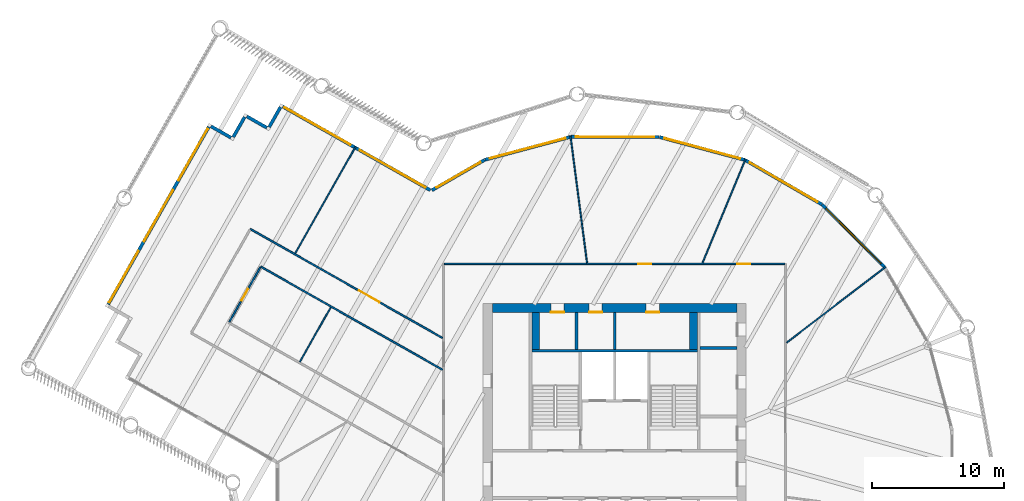
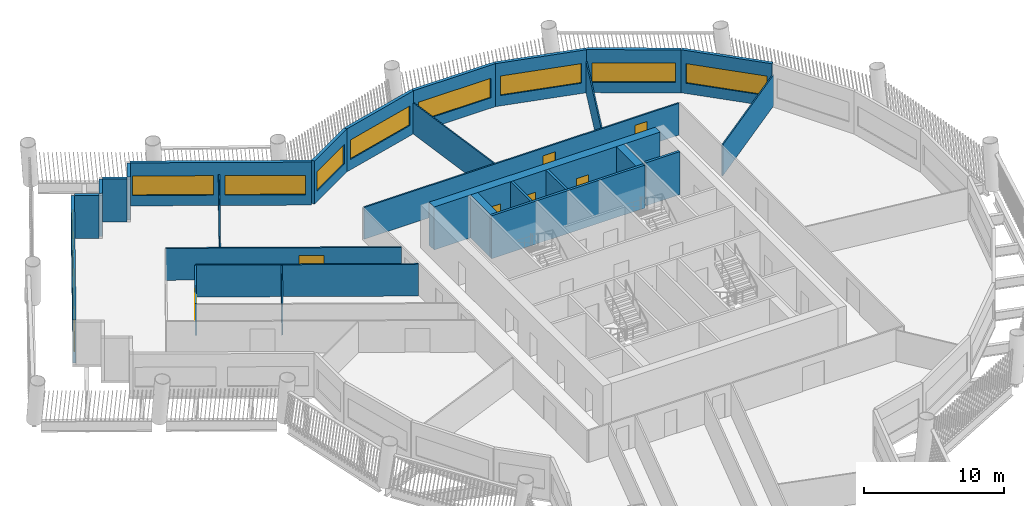
# One storey, part 6 of 15: 28 walls, 11 windows, 7 doors, 18 openings.
"""IFC4 building model written with IfcOpenShell, lengths in metres."""

from ifc_helpers import new_model, si_unit, direction, frame, frame_2d, origin, place, context, subcontext, project, spatial, rectangle, extrude, material, layer, layer_set, type_object, element, fill, save


model = new_model("IFC4")

# Units and contexts
model_context = context("Model", 3, precision=1e-05, world=origin(), true_north=direction((0.0, 1.0)))
body_context = subcontext(model_context, "Body", "Model", "MODEL_VIEW")
ifc_project = project(units=[si_unit("LENGTHUNIT", "METRE"), si_unit("AREAUNIT", "SQUARE_METRE"), si_unit("VOLUMEUNIT", "CUBIC_METRE"), si_unit("PLANEANGLEUNIT", "RADIAN"), si_unit("MASSUNIT", "GRAM", prefix="KILO")], contexts=[model_context])

# Site, building, storey
site_placement = place(None, origin())
site = spatial("IfcSite", under=ifc_project, at=site_placement, CompositionType="ELEMENT")
building_placement = place(site_placement, origin())
building = spatial("IfcBuilding", under=site, at=building_placement, Name="Tarsis Ring Headquarters", CompositionType="ELEMENT")
storey_placement = place(building_placement, frame((0.0, 0.0, 159.300048828125)))
storey = spatial("IfcBuildingStorey", under=building, at=storey_placement, Name="L36", CompositionType="ELEMENT", Elevation=159.300048828125)

# Walls
ifc_material_1 = material(Name="Blockwork", Category="masonry")
ifc_layer_1 = layer(ifc_material_1, 0.199951171875)
ifc_layer_set_1 = layer_set([ifc_layer_1], Name="Core blockwork wall 200")
wall_type_1 = type_object("IfcWallType", Name="Core blockwork wall 200", PredefinedType="PARTITIONING", material=ifc_layer_set_1)
for number, where, z_axis, x_axis, name in (
    (1, (6.5, 9.60009765625, 0.0), (0.0, 0.0, 1.0), (1.0, 0.0, 0.0), "Core partition ED7"),
    (2, (-2.89990234375, 9.5, 0.0), (0.0, 0.0, 1.0), (0.0, 1.0, 0.0), "Core partition ND1"),
    (3, (0.0, 9.5, 0.0), (0.0, 0.0, 1.0), (0.0, 1.0, 0.0), "Core partition ND2"),
):
    element("IfcWall", number, at=place(storey_placement, frame(where, z_axis=z_axis, x_axis=x_axis)), inside=storey, type_object=wall_type_1, Name=name, PredefinedType="PARTITIONING", context=body_context, shape_type="SweptSolid", body=[
        extrude(rectangle(XDim=2.800048828125, YDim=0.199951171875, at=frame_2d((1.39990234375, 0.0))), origin(), (0.0, 0.0, 1.0), 3.739990234375),
    ])

# Wall, openings, doors
ifc_material_2 = material(Name="Concrete C60/75", Category="concrete")
ifc_layer_2 = layer(ifc_material_2, 0.699951171875)
ifc_layer_set_2 = layer_set([ifc_layer_2], Name="Core wall 700 C60/75")
wall_type_2 = type_object("IfcWallType", Name="Core wall 700 C60/75", PredefinedType="SHEAR", material=ifc_layer_set_2)
wall_1_placement = place(storey_placement, frame((-9.300048828125, 12.64990234375, 0.0), z_axis=(0.0, 0.0, 1.0), x_axis=(1.0, 0.0, 0.0)))
wall_1 = element("IfcWall", 4, at=wall_1_placement, inside=storey, type_object=wall_type_2, Name="Core wall ON", PredefinedType="SHEAR", context=body_context, shape_type="SweptSolid", body=[
    extrude(rectangle(XDim=18.60009765625, YDim=0.699951171875, at=frame_2d((9.300048828125, 0.0))), origin(), (0.0, 0.0, 1.0), 3.739990234375),
])
opening_1_placement = place(wall_1_placement, frame((4.449951171875, 0.0, 0.0)))
opening_1 = element("IfcOpeningElement", 5, at=opening_1_placement, cuts=wall_1, Name="Opening L36-C14", PredefinedType="OPENING", context=body_context, shape_type="SweptSolid", body=[
    extrude(rectangle(XDim=1.0, YDim=2.10009765625, at=frame_2d((0.5, 1.050048828125))), frame((0.0, 0.35986328125, 0.0), z_axis=(0.0, -1.0, 0.0), x_axis=(1.0, 0.0, 0.0)), (0.0, 0.0, 1.0), 0.719970703125),
])
opening_2_placement = place(wall_1_placement, frame((7.35009765625, 0.0, 0.0)))
opening_2 = element("IfcOpeningElement", 6, at=opening_2_placement, cuts=wall_1, Name="Opening L36-C15", PredefinedType="OPENING", context=body_context, shape_type="SweptSolid", body=[
    extrude(rectangle(XDim=1.0, YDim=2.10009765625, at=frame_2d((0.5, 1.050048828125))), frame((0.0, 0.35986328125, 0.0), z_axis=(0.0, -1.0, 0.0), x_axis=(1.0, 0.0, 0.0)), (0.0, 0.0, 1.0), 0.719970703125),
])
opening_3_placement = place(wall_1_placement, frame((11.699951171875, 0.0, 0.0)))
opening_3 = element("IfcOpeningElement", 7, at=opening_3_placement, cuts=wall_1, Name="Opening L36-C16", PredefinedType="OPENING", context=body_context, shape_type="SweptSolid", body=[
    extrude(rectangle(XDim=1.0, YDim=2.10009765625, at=frame_2d((0.5, 1.050048828125))), frame((0.0, 0.35986328125, 0.0), z_axis=(0.0, -1.0, 0.0), x_axis=(1.0, 0.0, 0.0)), (0.0, 0.0, 1.0), 0.719970703125),
])
ifc_material_3 = material(Name="Steel S355", Category="steel")
door_type_1 = type_object("IfcDoorType", Name="Core room door 1000x2100", OperationType="SINGLE_SWING_LEFT", PredefinedType="DOOR", material=ifc_material_3)
door_1_placement = place(opening_1_placement, origin())
door_1 = element("IfcDoor", 8, at=door_1_placement, inside=storey, type_object=door_type_1, Name="Core room door L36", OperationType="SINGLE_SWING_LEFT", OverallHeight=2.10009765625, OverallWidth=1.0, PredefinedType="DOOR", context=body_context, shape_type="SweptSolid", body=[
    extrude(rectangle(XDim=1.0, YDim=2.10009765625, at=frame_2d((0.5, 1.050048828125))), frame((0.0, -0.2998046875, 0.0), z_axis=(0.0, -1.0, 0.0), x_axis=(1.0, 0.0, 0.0)), (0.0, 0.0, 1.0), 0.050048828125),
])
fill(opening_1, door_1)
door_2_placement = place(opening_2_placement, origin())
door_2 = element("IfcDoor", 9, at=door_2_placement, inside=storey, type_object=door_type_1, Name="Core room door L36", OperationType="SINGLE_SWING_LEFT", OverallHeight=2.10009765625, OverallWidth=1.0, PredefinedType="DOOR", context=body_context, shape_type="SweptSolid", body=[
    extrude(rectangle(XDim=1.0, YDim=2.10009765625, at=frame_2d((0.5, 1.050048828125))), frame((0.0, -0.2998046875, 0.0), z_axis=(0.0, -1.0, 0.0), x_axis=(1.0, 0.0, 0.0)), (0.0, 0.0, 1.0), 0.050048828125),
])
fill(opening_2, door_2)
door_3_placement = place(opening_3_placement, origin())
door_3 = element("IfcDoor", 10, at=door_3_placement, inside=storey, type_object=door_type_1, Name="Core room door L36", OperationType="SINGLE_SWING_LEFT", OverallHeight=2.10009765625, OverallWidth=1.0, PredefinedType="DOOR", context=body_context, shape_type="SweptSolid", body=[
    extrude(rectangle(XDim=1.0, YDim=2.10009765625, at=frame_2d((0.5, 1.050048828125))), frame((0.0, -0.2998046875, 0.0), z_axis=(0.0, -1.0, 0.0), x_axis=(1.0, 0.0, 0.0)), (0.0, 0.0, 1.0), 0.050048828125),
])
fill(opening_3, door_3)

# Walls
ifc_material_4 = material(Name="Gypsum board on steel studs", Category="steel")
ifc_layer_3 = layer(ifc_material_4, 0.10009765625)
ifc_layer_set_3 = layer_set([ifc_layer_3], Name="FL partition 100 unrated")
wall_type_3 = type_object("IfcWallType", Name="FL partition 100 unrated", PredefinedType="PARTITIONING", material=ifc_layer_set_3)
wall_2_placement = place(storey_placement, frame((-3.35986328125, 25.7294921875, 0.0), z_axis=(0.0, 0.0, 1.0), x_axis=(0.129485957059, -0.991581255836, 0.0)))
element("IfcWall", 11, at=wall_2_placement, inside=storey, type_object=wall_type_3, Name="Partition PW3", PredefinedType="PARTITIONING", context=body_context, shape_type="SweptSolid", body=[
    extrude(rectangle(XDim=9.7421875, YDim=0.10009765625, at=frame_2d((4.87109375, 0.0))), origin(), (0.0, 0.0, 1.0), 2.699951171875),
])
wall_3_placement = place(storey_placement, frame((13.079345703125, 10.014404296875, 0.0), z_axis=(0.0, 0.0, 1.0), x_axis=(0.793992728264, 0.607927255076, 0.0)))
element("IfcWall", 12, at=wall_3_placement, inside=storey, type_object=wall_type_3, Name="Partition PW3", PredefinedType="PARTITIONING", context=body_context, shape_type="SweptSolid", body=[
    extrude(rectangle(XDim=9.474853515625, YDim=0.10009765625, at=frame_2d((4.7373046875, 0.0))), origin(), (0.0, 0.0, 1.0), 2.699951171875),
])
wall_4_placement = place(storey_placement, frame((-24.293212890625, 16.801513671875, 0.0), z_axis=(0.0, 0.0, 1.0), x_axis=(0.493335076713, 0.869839354183, 0.0)))
element("IfcWall", 13, at=wall_4_placement, inside=storey, type_object=wall_type_3, Name="Partition PW3", PredefinedType="PARTITIONING", context=body_context, shape_type="SweptSolid", body=[
    extrude(rectangle(XDim=9.320068359375, YDim=0.10009765625, at=frame_2d((4.66015625, 0.0))), origin(), (0.0, 0.0, 1.0), 2.699951171875),
])
wall_5_placement = place(storey_placement, frame((6.677734375, 16.073974609375, 0.0), z_axis=(0.0, 0.0, 1.0), x_axis=(0.383643078306, 0.923481449986, 0.0)))
element("IfcWall", 14, at=wall_5_placement, inside=storey, type_object=wall_type_3, Name="Partition PW3", PredefinedType="PARTITIONING", context=body_context, shape_type="SweptSolid", body=[
    extrude(rectangle(XDim=8.5419921875, YDim=0.10009765625, at=frame_2d((4.27099609375, 0.0))), origin(), (0.0, 0.0, 1.0), 2.699951171875),
])
wall_6_placement = place(storey_placement, frame((-23.936767578125, 8.552001953125, 0.0), z_axis=(0.0, 0.0, 1.0), x_axis=(0.493358060877, 0.869826318163, 0.0)))
element("IfcWall", 15, at=wall_6_placement, inside=storey, type_object=wall_type_3, Name="Partition PW3", PredefinedType="PARTITIONING", context=body_context, shape_type="SweptSolid", body=[
    extrude(rectangle(XDim=4.760009765625, YDim=0.10009765625, at=frame_2d((2.3798828125, 0.0))), origin(), (0.0, 0.0, 1.0), 2.699951171875),
])

# Wall, openings, doors
ifc_layer_4 = layer(ifc_material_4, 0.125)
ifc_layer_set_4 = layer_set([ifc_layer_4], Name="FL partition 125 EI 60 H2770")
wall_type_4 = type_object("IfcWallType", Name="FL partition 125 EI 60 H2770", PredefinedType="PARTITIONING", material=ifc_layer_set_4)
wall_7_placement = place(storey_placement, frame((-12.93994140625, 16.0, 0.0), z_axis=(0.0, 0.0, 1.0), x_axis=(1.0, 0.0, 0.0)))
wall_7 = element("IfcWall", 16, at=wall_7_placement, inside=storey, type_object=wall_type_4, Name="Partition PW1", PredefinedType="PARTITIONING", context=body_context, shape_type="SweptSolid", body=[
    extrude(rectangle(XDim=25.8798828125, YDim=0.125, at=frame_2d((12.93994140625, 0.0))), origin(), (0.0, 0.0, 1.0), 2.77001953125),
])
opening_4_placement = place(wall_7_placement, frame((14.71875, 0.0, 0.0)))
opening_4 = element("IfcOpeningElement", 17, at=opening_4_placement, cuts=wall_7, Name="Opening D36.03", PredefinedType="OPENING", context=body_context, shape_type="SweptSolid", body=[
    extrude(rectangle(XDim=1.0, YDim=2.10009765625, at=frame_2d((0.5, 1.050048828125))), frame((0.0, 0.072509765625, 0.0), z_axis=(0.0, -1.0, 0.0), x_axis=(1.0, 0.0, 0.0)), (0.0, 0.0, 1.0), 0.14501953125),
])
opening_5_placement = place(wall_7_placement, frame((22.263427734375, 0.0, 0.0)))
opening_5 = element("IfcOpeningElement", 18, at=opening_5_placement, cuts=wall_7, Name="Opening D36.04", PredefinedType="OPENING", context=body_context, shape_type="SweptSolid", body=[
    extrude(rectangle(XDim=1.0, YDim=2.10009765625, at=frame_2d((0.5, 1.050048828125))), frame((0.0, 0.072509765625, 0.0), z_axis=(0.0, -1.0, 0.0), x_axis=(1.0, 0.0, 0.0)), (0.0, 0.0, 1.0), 0.14501953125),
])
ifc_material_5 = material(Name="Fire-rated timber door leaf in steel frame", Category="steel")
door_type_2 = type_object("IfcDoorType", Name="FL door FD60-1000", OperationType="NOTDEFINED", PredefinedType="DOOR", material=ifc_material_5)
door_4_placement = place(opening_4_placement, origin())
door_4 = element("IfcDoor", 19, at=door_4_placement, inside=storey, type_object=door_type_2, Name="Door D36.03", OperationType="SINGLE_SWING_LEFT", OverallHeight=2.10009765625, OverallWidth=1.0, PredefinedType="DOOR", context=body_context, shape_type="SweptSolid", body=[
    extrude(rectangle(XDim=1.0, YDim=2.10009765625, at=frame_2d((0.5, 1.050048828125))), frame((0.0, 0.02490234375, 0.0), z_axis=(0.0, -1.0, 0.0), x_axis=(1.0, 0.0, 0.0)), (0.0, 0.0, 1.0), 0.050048828125),
])
fill(opening_4, door_4)
door_5_placement = place(opening_5_placement, origin())
door_5 = element("IfcDoor", 20, at=door_5_placement, inside=storey, type_object=door_type_2, Name="Door D36.04", OperationType="SINGLE_SWING_RIGHT", OverallHeight=2.10009765625, OverallWidth=1.0, PredefinedType="DOOR", context=body_context, shape_type="SweptSolid", body=[
    extrude(rectangle(XDim=1.0, YDim=2.10009765625, at=frame_2d((0.5, 1.050048828125))), frame((0.0, 0.02490234375, 0.0), z_axis=(0.0, -1.0, 0.0), x_axis=(1.0, 0.0, 0.0)), (0.0, 0.0, 1.0), 0.050048828125),
])
fill(opening_5, door_5)

# Wall, opening, door
wall_8_placement = place(storey_placement, frame((-27.70263671875, 18.65478515625, 0.0), z_axis=(0.0, 0.0, 1.0), x_axis=(0.869841806439, -0.493330752915, 0.0)))
wall_8 = element("IfcWall", 21, at=wall_8_placement, inside=storey, type_object=wall_type_4, Name="Partition PW1", PredefinedType="PARTITIONING", context=body_context, shape_type="SweptSolid", body=[
    extrude(rectangle(XDim=16.802734375, YDim=0.125, at=frame_2d((8.4013671875, 0.0))), origin(), (0.0, 0.0, 1.0), 2.77001953125),
])
opening_6_placement = place(wall_8_placement, frame((9.4892578125, 0.0, 0.0)))
opening_6 = element("IfcOpeningElement", 22, at=opening_6_placement, cuts=wall_8, Name="Opening D36.02", PredefinedType="OPENING", context=body_context, shape_type="SweptSolid", body=[
    extrude(rectangle(XDim=1.800048828125, YDim=2.10009765625, at=frame_2d((0.89990234375, 1.050048828125))), frame((0.0, 0.072509765625, 0.0), z_axis=(0.0, -1.0, 0.0), x_axis=(1.0, 0.0, 0.0)), (0.0, 0.0, 1.0), 0.14501953125),
])
door_type_3 = type_object("IfcDoorType", Name="FL door FD60-1800", OperationType="DOUBLE_DOOR_SINGLE_SWING", PredefinedType="DOOR", material=ifc_material_5)
door_6_placement = place(opening_6_placement, origin())
door_6 = element("IfcDoor", 23, at=door_6_placement, inside=storey, type_object=door_type_3, Name="Door D36.02", OperationType="DOUBLE_DOOR_SINGLE_SWING", OverallHeight=2.10009765625, OverallWidth=1.800048828125, PredefinedType="DOOR", context=body_context, shape_type="SweptSolid", body=[
    extrude(rectangle(XDim=1.800048828125, YDim=2.10009765625, at=frame_2d((0.89990234375, 1.050048828125))), frame((0.0, 0.02490234375, 0.0), z_axis=(0.0, -1.0, 0.0), x_axis=(1.0, 0.0, 0.0)), (0.0, 0.0, 1.0), 0.050048828125),
])
fill(opening_6, door_6)

# Wall
wall_9_placement = place(storey_placement, frame((-26.912109375, 15.792236328125, 0.0), z_axis=(0.0, 0.0, 1.0), x_axis=(0.869838961539, -0.493335769014, 0.0)))
element("IfcWall", 24, at=wall_9_placement, inside=storey, type_object=wall_type_4, Name="Partition PW1", PredefinedType="PARTITIONING", context=body_context, shape_type="SweptSolid", body=[
    extrude(rectangle(XDim=15.89404296875, YDim=0.125, at=frame_2d((7.947021484375, 0.0))), origin(), (0.0, 0.0, 1.0), 2.77001953125),
])

# Wall, opening, door
wall_10_placement = place(storey_placement, frame((-29.2998046875, 11.58203125, 0.0), z_axis=(0.0, 0.0, 1.0), x_axis=(0.493325686311, 0.869844679943, 0.0)))
wall_10 = element("IfcWall", 25, at=wall_10_placement, inside=storey, type_object=wall_type_4, Name="Partition PW1", PredefinedType="PARTITIONING", context=body_context, shape_type="SweptSolid", body=[
    extrude(rectangle(XDim=4.780029296875, YDim=0.125, at=frame_2d((2.39013671875, 0.0))), origin(), (0.0, 0.0, 1.0), 2.77001953125),
])
opening_7_placement = place(wall_10_placement, frame((1.889892578125, 0.0, 0.0)))
opening_7 = element("IfcOpeningElement", 26, at=opening_7_placement, cuts=wall_10, Name="Opening D36.13", PredefinedType="OPENING", context=body_context, shape_type="SweptSolid", body=[
    extrude(rectangle(XDim=1.0, YDim=2.10009765625, at=frame_2d((0.5, 1.050048828125))), frame((0.0, 0.072509765625, 0.0), z_axis=(0.0, -1.0, 0.0), x_axis=(1.0, 0.0, 0.0)), (0.0, 0.0, 1.0), 0.14501953125),
])
door_7_placement = place(opening_7_placement, origin())
door_7 = element("IfcDoor", 27, at=door_7_placement, inside=storey, type_object=door_type_2, Name="Door D36.13", OperationType="SINGLE_SWING_LEFT", OverallHeight=2.10009765625, OverallWidth=1.0, PredefinedType="DOOR", context=body_context, shape_type="SweptSolid", body=[
    extrude(rectangle(XDim=1.0, YDim=2.10009765625, at=frame_2d((0.5, 1.050048828125))), frame((0.0, 0.02490234375, 0.0), z_axis=(0.0, -1.0, 0.0), x_axis=(1.0, 0.0, 0.0)), (0.0, 0.0, 1.0), 0.050048828125),
])
fill(opening_7, door_7)

# Wall, opening, window
ifc_material_6 = material(Name="Terracotta clad insulated panel wall", Category="masonry")
ifc_layer_5 = layer(ifc_material_6, 0.25)
ifc_layer_set_5 = layer_set([ifc_layer_5], Name="Facade wall terracotta panel 250")
wall_type_5 = type_object("IfcWallType", Name="Facade wall terracotta panel 250", PredefinedType="STANDARD", material=ifc_layer_set_5)
wall_11_placement = place(storey_placement, frame((20.531982421875, 15.7412109375, 0.0), z_axis=(0.0, 0.0, 1.0), x_axis=(-0.706361779865, 0.707850998407, 0.0)))
wall_11 = element("IfcWall", 28, at=wall_11_placement, inside=storey, type_object=wall_type_5, Name="External wall L36-25", PredefinedType="STANDARD", context=body_context, shape_type="SweptSolid", body=[
    extrude(rectangle(XDim=6.721435546875, YDim=0.25, at=frame_2d((3.36083984375, 0.0))), origin(), (0.0, 0.0, 1.0), 3.739990234375),
])
opening_8_placement = place(wall_11_placement, frame((0.3857421875, 0.0, 0.89990234375)))
opening_8 = element("IfcOpeningElement", 29, at=opening_8_placement, cuts=wall_11, Name="Opening WN07", PredefinedType="OPENING", context=body_context, shape_type="SweptSolid", body=[
    extrude(rectangle(XDim=5.949951171875, YDim=1.699951171875, at=frame_2d((2.97509765625, 0.85009765625))), frame((0.0, 0.135009765625, 0.0), z_axis=(0.0, -1.0, 0.0), x_axis=(1.0, 0.0, 0.0)), (0.0, 0.0, 1.0), 0.27001953125),
])
ifc_material_7 = material(Name="Aluminium framed double glazing", Category="aluminium")
window_type_1 = type_object("IfcWindowType", Name="Facade window 5950 x 1700", PartitioningType="SINGLE_PANEL", PredefinedType="WINDOW", material=ifc_material_7)
window_1_placement = place(opening_8_placement, origin())
window_1 = element("IfcWindow", 30, at=window_1_placement, inside=storey, type_object=window_type_1, Name="Window L36-25.1", OverallHeight=1.699951171875, OverallWidth=5.949951171875, PartitioningType="SINGLE_PANEL", PredefinedType="WINDOW", context=body_context, shape_type="SweptSolid", body=[
    extrude(rectangle(XDim=5.949951171875, YDim=1.699951171875, at=frame_2d((2.97509765625, 0.85009765625))), frame((0.0, 0.030029296875, 0.0), z_axis=(0.0, -1.0, 0.0), x_axis=(1.0, 0.0, 0.0)), (0.0, 0.0, 1.0), 0.06005859375),
])
fill(opening_8, window_1)

wall_12_placement = place(storey_placement, frame((15.75830078125, 20.518798828125, 0.0), z_axis=(0.0, 0.0, 1.0), x_axis=(-0.865500877782, 0.500907407171, 0.0)))
wall_12 = element("IfcWall", 31, at=wall_12_placement, inside=storey, type_object=wall_type_5, Name="External wall L36-26", PredefinedType="STANDARD", context=body_context, shape_type="SweptSolid", body=[
    extrude(rectangle(XDim=6.7216796875, YDim=0.25, at=frame_2d((3.36083984375, 0.0))), origin(), (0.0, 0.0, 1.0), 3.739990234375),
])
opening_9_placement = place(wall_12_placement, frame((0.3857421875, 0.0, 0.89990234375)))
opening_9 = element("IfcOpeningElement", 32, at=opening_9_placement, cuts=wall_12, Name="Opening WN07", PredefinedType="OPENING", context=body_context, shape_type="SweptSolid", body=[
    extrude(rectangle(XDim=5.949951171875, YDim=1.699951171875, at=frame_2d((2.97509765625, 0.85009765625))), frame((0.0, 0.135009765625, 0.0), z_axis=(0.0, -1.0, 0.0), x_axis=(1.0, 0.0, 0.0)), (0.0, 0.0, 1.0), 0.27001953125),
])
window_2_placement = place(opening_9_placement, origin())
window_2 = element("IfcWindow", 33, at=window_2_placement, inside=storey, type_object=window_type_1, Name="Window L36-26.1", OverallHeight=1.699951171875, OverallWidth=5.949951171875, PartitioningType="SINGLE_PANEL", PredefinedType="WINDOW", context=body_context, shape_type="SweptSolid", body=[
    extrude(rectangle(XDim=5.949951171875, YDim=1.699951171875, at=frame_2d((2.97509765625, 0.85009765625))), frame((0.0, 0.030029296875, 0.0), z_axis=(0.0, -1.0, 0.0), x_axis=(1.0, 0.0, 0.0)), (0.0, 0.0, 1.0), 0.06005859375),
])
fill(opening_9, window_2)

wall_13_placement = place(storey_placement, frame((9.91064453125, 23.898193359375, 0.0), z_axis=(0.0, 0.0, 1.0), x_axis=(-0.965650117976, 0.259845819002, 0.0)))
wall_13 = element("IfcWall", 34, at=wall_13_placement, inside=storey, type_object=wall_type_5, Name="External wall L36-27", PredefinedType="STANDARD", context=body_context, shape_type="SweptSolid", body=[
    extrude(rectangle(XDim=6.7216796875, YDim=0.25, at=frame_2d((3.36083984375, 0.0))), origin(), (0.0, 0.0, 1.0), 3.739990234375),
])
opening_10_placement = place(wall_13_placement, frame((0.3857421875, 0.0, 0.89990234375)))
opening_10 = element("IfcOpeningElement", 35, at=opening_10_placement, cuts=wall_13, Name="Opening WN07", PredefinedType="OPENING", context=body_context, shape_type="SweptSolid", body=[
    extrude(rectangle(XDim=5.949951171875, YDim=1.699951171875, at=frame_2d((2.97509765625, 0.85009765625))), frame((0.0, 0.135009765625, 0.0), z_axis=(0.0, -1.0, 0.0), x_axis=(1.0, 0.0, 0.0)), (0.0, 0.0, 1.0), 0.27001953125),
])
window_3_placement = place(opening_10_placement, origin())
window_3 = element("IfcWindow", 36, at=window_3_placement, inside=storey, type_object=window_type_1, Name="Window L36-27.1", OverallHeight=1.699951171875, OverallWidth=5.949951171875, PartitioningType="SINGLE_PANEL", PredefinedType="WINDOW", context=body_context, shape_type="SweptSolid", body=[
    extrude(rectangle(XDim=5.949951171875, YDim=1.699951171875, at=frame_2d((2.97509765625, 0.85009765625))), frame((0.0, 0.030029296875, 0.0), z_axis=(0.0, -1.0, 0.0), x_axis=(1.0, 0.0, 0.0)), (0.0, 0.0, 1.0), 0.06005859375),
])
fill(opening_10, window_3)

wall_14_placement = place(storey_placement, frame((3.3876953125, 25.64892578125, 0.0), z_axis=(0.0, 0.0, 1.0), x_axis=(-0.999999445259, 0.001053319189, 0.0)))
wall_14 = element("IfcWall", 37, at=wall_14_placement, inside=storey, type_object=wall_type_5, Name="External wall L36-28", PredefinedType="STANDARD", context=body_context, shape_type="SweptSolid", body=[
    extrude(rectangle(XDim=6.7216796875, YDim=0.25, at=frame_2d((3.36083984375, 0.0))), origin(), (0.0, 0.0, 1.0), 3.739990234375),
])
opening_11_placement = place(wall_14_placement, frame((0.3857421875, 0.0, 0.89990234375)))
opening_11 = element("IfcOpeningElement", 38, at=opening_11_placement, cuts=wall_14, Name="Opening WN07", PredefinedType="OPENING", context=body_context, shape_type="SweptSolid", body=[
    extrude(rectangle(XDim=5.949951171875, YDim=1.699951171875, at=frame_2d((2.97509765625, 0.85009765625))), frame((0.0, 0.135009765625, 0.0), z_axis=(0.0, -1.0, 0.0), x_axis=(1.0, 0.0, 0.0)), (0.0, 0.0, 1.0), 0.27001953125),
])
window_4_placement = place(opening_11_placement, origin())
window_4 = element("IfcWindow", 39, at=window_4_placement, inside=storey, type_object=window_type_1, Name="Window L36-28.1", OverallHeight=1.699951171875, OverallWidth=5.949951171875, PartitioningType="SINGLE_PANEL", PredefinedType="WINDOW", context=body_context, shape_type="SweptSolid", body=[
    extrude(rectangle(XDim=5.949951171875, YDim=1.699951171875, at=frame_2d((2.97509765625, 0.85009765625))), frame((0.0, 0.030029296875, 0.0), z_axis=(0.0, -1.0, 0.0), x_axis=(1.0, 0.0, 0.0)), (0.0, 0.0, 1.0), 0.06005859375),
])
fill(opening_11, window_4)

wall_15_placement = place(storey_placement, frame((-3.3662109375, 25.65185546875, 0.0), z_axis=(0.0, 0.0, 1.0), x_axis=(-0.966195139929, -0.257811853059, 0.0)))
wall_15 = element("IfcWall", 40, at=wall_15_placement, inside=storey, type_object=wall_type_5, Name="External wall L36-29", PredefinedType="STANDARD", context=body_context, shape_type="SweptSolid", body=[
    extrude(rectangle(XDim=6.7216796875, YDim=0.25, at=frame_2d((3.36083984375, 0.0))), origin(), (0.0, 0.0, 1.0), 3.739990234375),
])
opening_12_placement = place(wall_15_placement, frame((0.3857421875, 0.0, 0.89990234375)))
opening_12 = element("IfcOpeningElement", 41, at=opening_12_placement, cuts=wall_15, Name="Opening WN07", PredefinedType="OPENING", context=body_context, shape_type="SweptSolid", body=[
    extrude(rectangle(XDim=5.949951171875, YDim=1.699951171875, at=frame_2d((2.97509765625, 0.85009765625))), frame((0.0, 0.135009765625, 0.0), z_axis=(0.0, -1.0, 0.0), x_axis=(1.0, 0.0, 0.0)), (0.0, 0.0, 1.0), 0.27001953125),
])
window_5_placement = place(opening_12_placement, origin())
window_5 = element("IfcWindow", 42, at=window_5_placement, inside=storey, type_object=window_type_1, Name="Window L36-29.1", OverallHeight=1.699951171875, OverallWidth=5.949951171875, PartitioningType="SINGLE_PANEL", PredefinedType="WINDOW", context=body_context, shape_type="SweptSolid", body=[
    extrude(rectangle(XDim=5.949951171875, YDim=1.699951171875, at=frame_2d((2.97509765625, 0.85009765625))), frame((0.0, 0.030029296875, 0.0), z_axis=(0.0, -1.0, 0.0), x_axis=(1.0, 0.0, 0.0)), (0.0, 0.0, 1.0), 0.06005859375),
])
fill(opening_12, window_5)

wall_16_placement = place(storey_placement, frame((-9.890625, 23.906494140625, 0.0), z_axis=(0.0, 0.0, 1.0), x_axis=(-0.866559409423, -0.499073932338, 0.0)))
wall_16 = element("IfcWall", 43, at=wall_16_placement, inside=storey, type_object=wall_type_5, Name="External wall L36-30", PredefinedType="STANDARD", context=body_context, shape_type="SweptSolid", body=[
    extrude(rectangle(XDim=4.617919921875, YDim=0.25, at=frame_2d((2.30908203125, 0.0))), origin(), (0.0, 0.0, 1.0), 3.739990234375),
])
opening_13_placement = place(wall_16_placement, frame((0.367431640625, 0.0, 0.89990234375)))
opening_13 = element("IfcOpeningElement", 44, at=opening_13_placement, cuts=wall_16, Name="Opening WN02", PredefinedType="OPENING", context=body_context, shape_type="SweptSolid", body=[
    extrude(rectangle(XDim=3.85009765625, YDim=1.699951171875, at=frame_2d((1.925048828125, 0.85009765625))), frame((0.0, 0.135009765625, 0.0), z_axis=(0.0, -1.0, 0.0), x_axis=(1.0, 0.0, 0.0)), (0.0, 0.0, 1.0), 0.27001953125),
])
window_type_2 = type_object("IfcWindowType", Name="Facade window 3850 x 1700", PartitioningType="SINGLE_PANEL", PredefinedType="WINDOW", material=ifc_material_7)
window_6_placement = place(opening_13_placement, origin())
window_6 = element("IfcWindow", 45, at=window_6_placement, inside=storey, type_object=window_type_2, Name="Window L36-30.1", OverallHeight=1.699951171875, OverallWidth=3.85009765625, PartitioningType="SINGLE_PANEL", PredefinedType="WINDOW", context=body_context, shape_type="SweptSolid", body=[
    extrude(rectangle(XDim=3.85009765625, YDim=1.699951171875, at=frame_2d((1.925048828125, 0.85009765625))), frame((0.0, 0.030029296875, 0.0), z_axis=(0.0, -1.0, 0.0), x_axis=(1.0, 0.0, 0.0)), (0.0, 0.0, 1.0), 0.06005859375),
])
fill(opening_13, window_6)

# Wall, openings, windows
wall_17_placement = place(storey_placement, frame((-14.016357421875, 21.601318359375, 0.0), z_axis=(0.0, 0.0, 1.0), x_axis=(-0.869838683628, 0.493336259021, 0.0)))
wall_17 = element("IfcWall", 46, at=wall_17_placement, inside=storey, type_object=wall_type_5, Name="External wall L36-31", PredefinedType="STANDARD", context=body_context, shape_type="SweptSolid", body=[
    extrude(rectangle(XDim=12.9013671875, YDim=0.25, at=frame_2d((6.45068359375, 0.0))), origin(), (0.0, 0.0, 1.0), 3.739990234375),
])
opening_14_placement = place(wall_17_placement, frame((0.412841796875, 0.0, 0.89990234375)))
opening_14 = element("IfcOpeningElement", 47, at=opening_14_placement, cuts=wall_17, Name="Opening WN06", PredefinedType="OPENING", context=body_context, shape_type="SweptSolid", body=[
    extrude(rectangle(XDim=5.75, YDim=1.699951171875, at=frame_2d((2.875, 0.85009765625))), frame((0.0, 0.135009765625, 0.0), z_axis=(0.0, -1.0, 0.0), x_axis=(1.0, 0.0, 0.0)), (0.0, 0.0, 1.0), 0.27001953125),
])
opening_15_placement = place(wall_17_placement, frame((6.988525390625, 0.0, 0.89990234375)))
opening_15 = element("IfcOpeningElement", 48, at=opening_15_placement, cuts=wall_17, Name="Opening WN06", PredefinedType="OPENING", context=body_context, shape_type="SweptSolid", body=[
    extrude(rectangle(XDim=5.75, YDim=1.699951171875, at=frame_2d((2.875, 0.85009765625))), frame((0.0, 0.135009765625, 0.0), z_axis=(0.0, -1.0, 0.0), x_axis=(1.0, 0.0, 0.0)), (0.0, 0.0, 1.0), 0.27001953125),
])
window_type_3 = type_object("IfcWindowType", Name="Facade window 5750 x 1700", PartitioningType="SINGLE_PANEL", PredefinedType="WINDOW", material=ifc_material_7)
window_7_placement = place(opening_14_placement, origin())
window_7 = element("IfcWindow", 49, at=window_7_placement, inside=storey, type_object=window_type_3, Name="Window L36-31.1", OverallHeight=1.699951171875, OverallWidth=5.75, PartitioningType="SINGLE_PANEL", PredefinedType="WINDOW", context=body_context, shape_type="SweptSolid", body=[
    extrude(rectangle(XDim=5.75, YDim=1.699951171875, at=frame_2d((2.875, 0.85009765625))), frame((0.0, 0.030029296875, 0.0), z_axis=(0.0, -1.0, 0.0), x_axis=(1.0, 0.0, 0.0)), (0.0, 0.0, 1.0), 0.06005859375),
])
fill(opening_14, window_7)
window_8_placement = place(opening_15_placement, origin())
window_8 = element("IfcWindow", 50, at=window_8_placement, inside=storey, type_object=window_type_3, Name="Window L36-31.2", OverallHeight=1.699951171875, OverallWidth=5.75, PartitioningType="SINGLE_PANEL", PredefinedType="WINDOW", context=body_context, shape_type="SweptSolid", body=[
    extrude(rectangle(XDim=5.75, YDim=1.699951171875, at=frame_2d((2.875, 0.85009765625))), frame((0.0, 0.030029296875, 0.0), z_axis=(0.0, -1.0, 0.0), x_axis=(1.0, 0.0, 0.0)), (0.0, 0.0, 1.0), 0.06005859375),
])
fill(opening_15, window_8)

# Walls
for number, where, z_axis, x_axis, name in (
    (51, (-25.40869140625, 27.9189453125, 0.0), (0.0, 0.0, 1.0), (-0.493417296296, -0.869792717672, 0.0), "External wall L36-32"),
    (52, (-26.442626953125, 26.349609375, 0.0), (0.0, 0.0, 1.0), (-0.869792717672, 0.493417296296, 0.0), "External wall L36-33"),
    (53, (-28.13525390625, 27.166015625, 0.0), (0.0, 0.0, 1.0), (-0.493311746917, -0.869852585415, 0.0), "External wall L36-34"),
    (54, (-29.1689453125, 25.5966796875, 0.0), (0.0, 0.0, 1.0), (-0.869852585415, 0.493311746917, 0.0), "External wall L36-35"),
):
    element("IfcWall", number, at=place(storey_placement, frame(where, z_axis=z_axis, x_axis=x_axis)), inside=storey, type_object=wall_type_5, Name=name, PredefinedType="STANDARD", context=body_context, shape_type="SweptSolid", body=[
        extrude(rectangle(XDim=1.75, YDim=0.25, at=frame_2d((0.875, 0.0))), origin(), (0.0, 0.0, 1.0), 3.739990234375),
    ])

# Wall, openings, windows
wall_18_placement = place(storey_placement, frame((-30.861572265625, 26.4130859375, 0.0), z_axis=(0.0, 0.0, 1.0), x_axis=(-0.493332457147, -0.869840839881, 0.0)))
wall_18 = element("IfcWall", 55, at=wall_18_placement, inside=storey, type_object=wall_type_5, Name="External wall L36-36", PredefinedType="STANDARD", context=body_context, shape_type="SweptSolid", body=[
    extrude(rectangle(XDim=15.500244140625, YDim=0.25, at=frame_2d((7.75, 0.0))), origin(), (0.0, 0.0, 1.0), 3.739990234375),
])
opening_16_placement = place(wall_18_placement, frame((0.166748046875, 0.0, 0.89990234375)))
opening_16 = element("IfcOpeningElement", 56, at=opening_16_placement, cuts=wall_18, Name="Opening WN04", PredefinedType="OPENING", context=body_context, shape_type="SweptSolid", body=[
    extrude(rectangle(XDim=4.5, YDim=1.699951171875, at=frame_2d((2.25, 0.85009765625))), frame((0.0, 0.135009765625, 0.0), z_axis=(0.0, -1.0, 0.0), x_axis=(1.0, 0.0, 0.0)), (0.0, 0.0, 1.0), 0.27001953125),
])
opening_17_placement = place(wall_18_placement, frame((5.5, 0.0, 0.89990234375)))
opening_17 = element("IfcOpeningElement", 57, at=opening_17_placement, cuts=wall_18, Name="Opening WN04", PredefinedType="OPENING", context=body_context, shape_type="SweptSolid", body=[
    extrude(rectangle(XDim=4.5, YDim=1.699951171875, at=frame_2d((2.25, 0.85009765625))), frame((0.0, 0.135009765625, 0.0), z_axis=(0.0, -1.0, 0.0), x_axis=(1.0, 0.0, 0.0)), (0.0, 0.0, 1.0), 0.27001953125),
])
opening_18_placement = place(wall_18_placement, frame((10.833251953125, 0.0, 0.89990234375)))
opening_18 = element("IfcOpeningElement", 58, at=opening_18_placement, cuts=wall_18, Name="Opening WN04", PredefinedType="OPENING", context=body_context, shape_type="SweptSolid", body=[
    extrude(rectangle(XDim=4.5, YDim=1.699951171875, at=frame_2d((2.25, 0.85009765625))), frame((0.0, 0.135009765625, 0.0), z_axis=(0.0, -1.0, 0.0), x_axis=(1.0, 0.0, 0.0)), (0.0, 0.0, 1.0), 0.27001953125),
])
window_type_4 = type_object("IfcWindowType", Name="Facade window 4500 x 1700", PartitioningType="SINGLE_PANEL", PredefinedType="WINDOW", material=ifc_material_7)
window_9_placement = place(opening_16_placement, origin())
window_9 = element("IfcWindow", 59, at=window_9_placement, inside=storey, type_object=window_type_4, Name="Window L36-36.1", OverallHeight=1.699951171875, OverallWidth=4.5, PartitioningType="SINGLE_PANEL", PredefinedType="WINDOW", context=body_context, shape_type="SweptSolid", body=[
    extrude(rectangle(XDim=4.5, YDim=1.699951171875, at=frame_2d((2.25, 0.85009765625))), frame((0.0, 0.030029296875, 0.0), z_axis=(0.0, -1.0, 0.0), x_axis=(1.0, 0.0, 0.0)), (0.0, 0.0, 1.0), 0.06005859375),
])
fill(opening_16, window_9)
window_10_placement = place(opening_17_placement, origin())
window_10 = element("IfcWindow", 60, at=window_10_placement, inside=storey, type_object=window_type_4, Name="Window L36-36.2", OverallHeight=1.699951171875, OverallWidth=4.5, PartitioningType="SINGLE_PANEL", PredefinedType="WINDOW", context=body_context, shape_type="SweptSolid", body=[
    extrude(rectangle(XDim=4.5, YDim=1.699951171875, at=frame_2d((2.25, 0.85009765625))), frame((0.0, 0.030029296875, 0.0), z_axis=(0.0, -1.0, 0.0), x_axis=(1.0, 0.0, 0.0)), (0.0, 0.0, 1.0), 0.06005859375),
])
fill(opening_17, window_10)
window_11_placement = place(opening_18_placement, origin())
window_11 = element("IfcWindow", 61, at=window_11_placement, inside=storey, type_object=window_type_4, Name="Window L36-36.3", OverallHeight=1.699951171875, OverallWidth=4.5, PartitioningType="SINGLE_PANEL", PredefinedType="WINDOW", context=body_context, shape_type="SweptSolid", body=[
    extrude(rectangle(XDim=4.5, YDim=1.699951171875, at=frame_2d((2.25, 0.85009765625))), frame((0.0, 0.030029296875, 0.0), z_axis=(0.0, -1.0, 0.0), x_axis=(1.0, 0.0, 0.0)), (0.0, 0.0, 1.0), 0.06005859375),
])
fill(opening_18, window_11)

# Walls
ifc_material_8 = material(Name="Concrete C32/40", Category="concrete")
ifc_layer_6 = layer(ifc_material_8, 0.60009765625)
ifc_layer_set_6 = layer_set([ifc_layer_6], Name="Shaft end wall 600 C32/40")
wall_type_6 = type_object("IfcWallType", Name="Shaft end wall 600 C32/40", PredefinedType="SOLIDWALL", material=ifc_layer_set_6)
for number, where, z_axis, x_axis, name in (
    (62, (-6.0, 9.5, 0.0), (0.0, 0.0, 1.0), (0.0, 1.0, 0.0), "Core shaft wall NNE1"),
    (63, (6.0, 9.5, 0.0), (0.0, 0.0, 1.0), (0.0, 1.0, 0.0), "Core shaft wall NNE2"),
):
    element("IfcWall", number, at=place(storey_placement, frame(where, z_axis=z_axis, x_axis=x_axis)), inside=storey, type_object=wall_type_6, Name=name, PredefinedType="SOLIDWALL", context=body_context, shape_type="SweptSolid", body=[
        extrude(rectangle(XDim=2.800048828125, YDim=0.60009765625, at=frame_2d((1.39990234375, 0.0))), origin(), (0.0, 0.0, 1.0), 3.739990234375),
    ])
ifc_layer_7 = layer(ifc_material_8, 0.199951171875)
ifc_layer_set_7 = layer_set([ifc_layer_7], Name="Shaft wall 200 C32/40")
wall_type_7 = type_object("IfcWallType", Name="Shaft wall 200 C32/40", PredefinedType="SOLIDWALL", material=ifc_layer_set_7)
wall_19_placement = place(storey_placement, frame((-6.300048828125, 9.39990234375, 0.0), z_axis=(0.0, 0.0, 1.0), x_axis=(1.0, 0.0, 0.0)))
element("IfcWall", 64, at=wall_19_placement, inside=storey, type_object=wall_type_7, Name="Core shaft wall NB", PredefinedType="SOLIDWALL", context=body_context, shape_type="SweptSolid", body=[
    extrude(rectangle(XDim=12.60009765625, YDim=0.199951171875, at=frame_2d((6.300048828125, 0.0))), origin(), (0.0, 0.0, 1.0), 3.739990234375),
])

save(model, "model.ifc")
